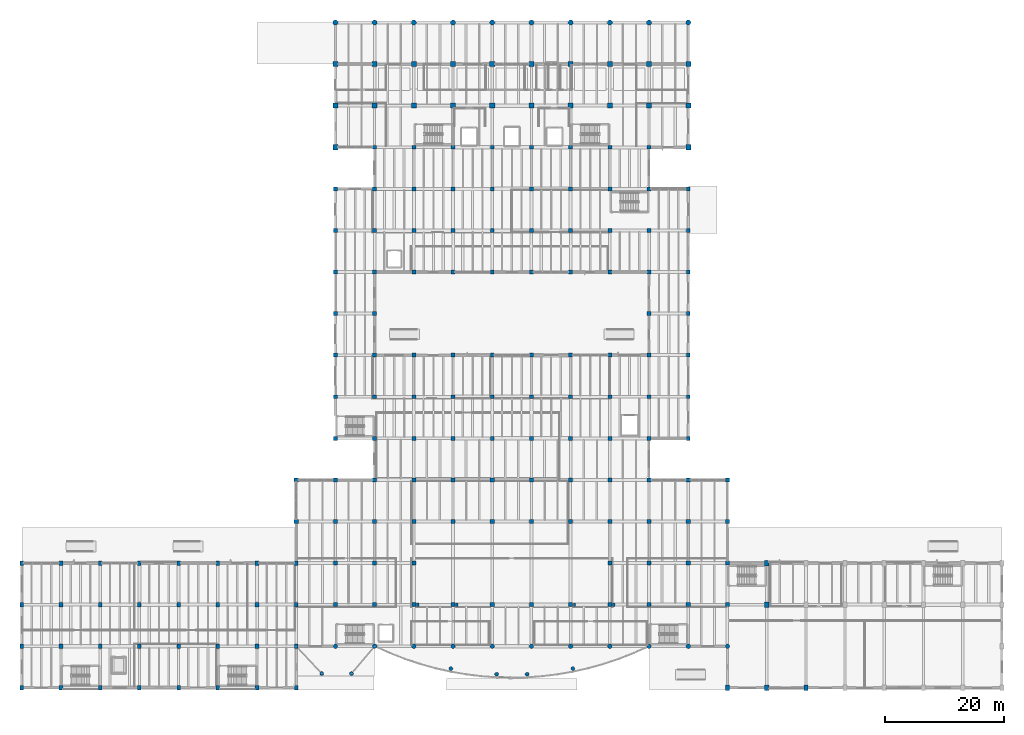
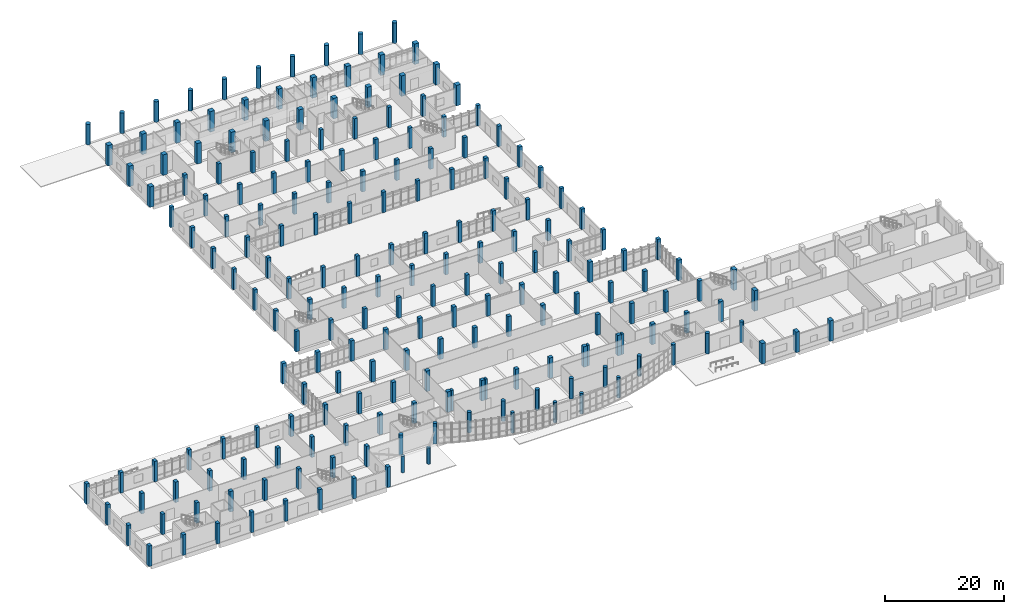
# One storey, part 1 of 69: 204 columns.
"""IFC4 building model written with IfcOpenShell, lengths in metres."""

from ifc_helpers import new_model, si_unit, direction, frame, origin, origin_2d, place, context, subcontext, project, spatial, rectangle, circle, extrude, material, material_profile, profile_set, type_object, element, save


model = new_model("IFC4")

# Units and contexts
model_context = context("Model", 3, precision=1e-05, world=origin(), true_north=direction((0.0, 1.0)))
body_context = subcontext(model_context, "Body", "Model", "MODEL_VIEW")
ifc_project = project(units=[si_unit("LENGTHUNIT", "METRE"), si_unit("AREAUNIT", "SQUARE_METRE"), si_unit("VOLUMEUNIT", "CUBIC_METRE"), si_unit("PLANEANGLEUNIT", "RADIAN"), si_unit("MASSUNIT", "GRAM", prefix="KILO")], contexts=[model_context])

# Site, building, storey
site_placement = place(None, origin())
site = spatial("IfcSite", under=ifc_project, at=site_placement, CompositionType="ELEMENT")
building_placement = place(site_placement, origin())
building = spatial("IfcBuilding", under=site, at=building_placement, Name="Ciguamira Faculty of Natural Sciences", CompositionType="ELEMENT")
storey_placement = place(building_placement, origin())
storey = spatial("IfcBuildingStorey", under=building, at=storey_placement, Name="L00", CompositionType="ELEMENT", Elevation=0.0)

# Columns
ifc_material_1 = material(Name="Concrete C45/55", Category="concrete")
ifc_material_profile_1 = material_profile(ifc_material_1, rectangle(XDim=0.85009765625, YDim=0.85009765625, at=origin_2d()), Name="RC-COL-850X850")
ifc_profile_set_1 = profile_set([ifc_material_profile_1], Name="Concrete C45/55")
column_type_1 = type_object("IfcColumnType", Name="Col_C-02_RC-COL-850X850", PredefinedType="COLUMN", material=ifc_profile_set_1)
for number, where, z_axis, x_axis, name in (
    (1, (57.300048828125, 94.0, 0.0), (0.0, 0.0, 1.0), (1.0, 0.0, 0.0), "L00 column 9/P"),
    (2, (57.300048828125, 101.0, 0.0), (0.0, 0.0, 1.0), (1.0, 0.0, 0.0), "L00 column 9/Q"),
    (3, (57.300048828125, 108.0, 0.0), (0.0, 0.0, 1.0), (1.0, 0.0, 0.0), "L00 column 9/R"),
    (4, (63.89990234375, 101.0, 0.0), (0.0, 0.0, 1.0), (1.0, 0.0, 0.0), "L00 column 10/Q"),
    (5, (63.89990234375, 108.0, 0.0), (0.0, 0.0, 1.0), (1.0, 0.0, 0.0), "L00 column 10/R"),
    (6, (70.5, 101.0, 0.0), (0.0, 0.0, 1.0), (1.0, 0.0, 0.0), "L00 column 11/Q"),
    (7, (70.5, 108.0, 0.0), (0.0, 0.0, 1.0), (1.0, 0.0, 0.0), "L00 column 11/R"),
    (8, (77.10009765625, 101.0, 0.0), (0.0, 0.0, 1.0), (1.0, 0.0, 0.0), "L00 column 12/Q"),
    (9, (77.10009765625, 108.0, 0.0), (0.0, 0.0, 1.0), (1.0, 0.0, 0.0), "L00 column 12/R"),
    (10, (83.699951171875, 101.0, 0.0), (0.0, 0.0, 1.0), (1.0, 0.0, 0.0), "L00 column 13/Q"),
    (11, (83.699951171875, 108.0, 0.0), (0.0, 0.0, 1.0), (1.0, 0.0, 0.0), "L00 column 13/R"),
    (12, (90.300048828125, 101.0, 0.0), (0.0, 0.0, 1.0), (1.0, 0.0, 0.0), "L00 column 14/Q"),
    (13, (90.300048828125, 108.0, 0.0), (0.0, 0.0, 1.0), (1.0, 0.0, 0.0), "L00 column 14/R"),
    (14, (96.89990234375, 101.0, 0.0), (0.0, 0.0, 1.0), (1.0, 0.0, 0.0), "L00 column 15/Q"),
    (15, (96.89990234375, 108.0, 0.0), (0.0, 0.0, 1.0), (1.0, 0.0, 0.0), "L00 column 15/R"),
    (16, (103.5, 101.0, 0.0), (0.0, 0.0, 1.0), (1.0, 0.0, 0.0), "L00 column 16/Q"),
    (17, (103.5, 108.0, 0.0), (0.0, 0.0, 1.0), (1.0, 0.0, 0.0), "L00 column 16/R"),
    (18, (110.10009765625, 101.0, 0.0), (0.0, 0.0, 1.0), (1.0, 0.0, 0.0), "L00 column 17/Q"),
    (19, (110.10009765625, 108.0, 0.0), (0.0, 0.0, 1.0), (1.0, 0.0, 0.0), "L00 column 17/R"),
    (20, (116.699951171875, 94.0, 0.0), (0.0, 0.0, 1.0), (1.0, 0.0, 0.0), "L00 column 18/P"),
    (21, (116.699951171875, 101.0, 0.0), (0.0, 0.0, 1.0), (1.0, 0.0, 0.0), "L00 column 18/Q"),
    (22, (116.699951171875, 108.0, 0.0), (0.0, 0.0, 1.0), (1.0, 0.0, 0.0), "L00 column 18/R"),
):
    element("IfcColumn", number, at=place(storey_placement, frame(where, z_axis=z_axis, x_axis=x_axis)), inside=storey, type_object=column_type_1, Name=name, PredefinedType="COLUMN", context=body_context, shape_type="SweptSolid", body=[
        extrude(rectangle(XDim=0.85009765625, YDim=0.85009765625, at=origin_2d()), origin(), (0.0, 0.0, 1.0), 4.199951171875),
    ])
ifc_material_2 = material(Name="Concrete C40/50", Category="concrete")
ifc_material_profile_2 = material_profile(ifc_material_2, rectangle(XDim=0.699951171875, YDim=0.699951171875, at=origin_2d()), Name="RC-COL-700X700")
ifc_profile_set_2 = profile_set([ifc_material_profile_2], Name="Concrete C40/50")
column_type_2 = type_object("IfcColumnType", Name="Col_C-05_RC-COL-700X700", PredefinedType="COLUMN", material=ifc_profile_set_2)
for number, where, z_axis, x_axis, name in (
    (23, (50.699951171875, 31.0, 0.0), (0.0, 0.0, 1.0), (1.0, 0.0, 0.0), "L00 column 8/E"),
    (24, (50.699951171875, 38.0, 0.0), (0.0, 0.0, 1.0), (1.0, 0.0, 0.0), "L00 column 8/F"),
    (25, (57.300048828125, 17.0, 0.0), (0.0, 0.0, 1.0), (1.0, 0.0, 0.0), "L00 column 9/C"),
    (26, (57.300048828125, 24.0, 0.0), (0.0, 0.0, 1.0), (1.0, 0.0, 0.0), "L00 column 9/D"),
    (27, (57.300048828125, 31.0, 0.0), (0.0, 0.0, 1.0), (1.0, 0.0, 0.0), "L00 column 9/E"),
    (28, (57.300048828125, 38.0, 0.0), (0.0, 0.0, 1.0), (1.0, 0.0, 0.0), "L00 column 9/F"),
    (29, (63.89990234375, 17.0, 0.0), (0.0, 0.0, 1.0), (1.0, 0.0, 0.0), "L00 column 10/C"),
    (30, (63.89990234375, 24.0, 0.0), (0.0, 0.0, 1.0), (1.0, 0.0, 0.0), "L00 column 10/D"),
    (31, (63.89990234375, 31.0, 0.0), (0.0, 0.0, 1.0), (1.0, 0.0, 0.0), "L00 column 10/E"),
    (32, (63.89990234375, 38.0, 0.0), (0.0, 0.0, 1.0), (1.0, 0.0, 0.0), "L00 column 10/F"),
    (33, (70.5, 17.0, 0.0), (0.0, 0.0, 1.0), (1.0, 0.0, 0.0), "L00 column 11/C"),
    (34, (70.5, 24.0, 0.0), (0.0, 0.0, 1.0), (1.0, 0.0, 0.0), "L00 column 11/D"),
    (35, (70.5, 31.0, 0.0), (0.0, 0.0, 1.0), (1.0, 0.0, 0.0), "L00 column 11/E"),
    (36, (70.5, 38.0, 0.0), (0.0, 0.0, 1.0), (1.0, 0.0, 0.0), "L00 column 11/F"),
    (37, (77.10009765625, 17.0, 0.0), (0.0, 0.0, 1.0), (1.0, 0.0, 0.0), "L00 column 12/C"),
    (38, (77.10009765625, 31.0, 0.0), (0.0, 0.0, 1.0), (1.0, 0.0, 0.0), "L00 column 12/E"),
    (39, (77.10009765625, 38.0, 0.0), (0.0, 0.0, 1.0), (1.0, 0.0, 0.0), "L00 column 12/F"),
    (40, (83.699951171875, 17.0, 0.0), (0.0, 0.0, 1.0), (1.0, 0.0, 0.0), "L00 column 13/C"),
    (41, (83.699951171875, 31.0, 0.0), (0.0, 0.0, 1.0), (1.0, 0.0, 0.0), "L00 column 13/E"),
    (42, (83.699951171875, 38.0, 0.0), (0.0, 0.0, 1.0), (1.0, 0.0, 0.0), "L00 column 13/F"),
    (43, (90.300048828125, 17.0, 0.0), (0.0, 0.0, 1.0), (1.0, 0.0, 0.0), "L00 column 14/C"),
    (44, (90.300048828125, 31.0, 0.0), (0.0, 0.0, 1.0), (1.0, 0.0, 0.0), "L00 column 14/E"),
    (45, (90.300048828125, 38.0, 0.0), (0.0, 0.0, 1.0), (1.0, 0.0, 0.0), "L00 column 14/F"),
    (46, (96.89990234375, 17.0, 0.0), (0.0, 0.0, 1.0), (1.0, 0.0, 0.0), "L00 column 15/C"),
    (47, (96.89990234375, 31.0, 0.0), (0.0, 0.0, 1.0), (1.0, 0.0, 0.0), "L00 column 15/E"),
    (48, (96.89990234375, 38.0, 0.0), (0.0, 0.0, 1.0), (1.0, 0.0, 0.0), "L00 column 15/F"),
    (49, (103.5, 17.0, 0.0), (0.0, 0.0, 1.0), (1.0, 0.0, 0.0), "L00 column 16/C"),
    (50, (103.5, 24.0, 0.0), (0.0, 0.0, 1.0), (1.0, 0.0, 0.0), "L00 column 16/D"),
    (51, (103.5, 31.0, 0.0), (0.0, 0.0, 1.0), (1.0, 0.0, 0.0), "L00 column 16/E"),
    (52, (103.5, 38.0, 0.0), (0.0, 0.0, 1.0), (1.0, 0.0, 0.0), "L00 column 16/F"),
    (53, (110.10009765625, 17.0, 0.0), (0.0, 0.0, 1.0), (1.0, 0.0, 0.0), "L00 column 17/C"),
    (54, (110.10009765625, 24.0, 0.0), (0.0, 0.0, 1.0), (1.0, 0.0, 0.0), "L00 column 17/D"),
    (55, (110.10009765625, 31.0, 0.0), (0.0, 0.0, 1.0), (1.0, 0.0, 0.0), "L00 column 17/E"),
    (56, (110.10009765625, 38.0, 0.0), (0.0, 0.0, 1.0), (1.0, 0.0, 0.0), "L00 column 17/F"),
    (57, (116.699951171875, 17.0, 0.0), (0.0, 0.0, 1.0), (1.0, 0.0, 0.0), "L00 column 18/C"),
    (58, (116.699951171875, 24.0, 0.0), (0.0, 0.0, 1.0), (1.0, 0.0, 0.0), "L00 column 18/D"),
    (59, (116.699951171875, 31.0, 0.0), (0.0, 0.0, 1.0), (1.0, 0.0, 0.0), "L00 column 18/E"),
    (60, (116.699951171875, 38.0, 0.0), (0.0, 0.0, 1.0), (1.0, 0.0, 0.0), "L00 column 18/F"),
    (61, (123.300048828125, 17.0, 0.0), (0.0, 0.0, 1.0), (1.0, 0.0, 0.0), "L00 column 19/C"),
    (62, (123.300048828125, 24.0, 0.0), (0.0, 0.0, 1.0), (1.0, 0.0, 0.0), "L00 column 19/D"),
    (63, (123.300048828125, 31.0, 0.0), (0.0, 0.0, 1.0), (1.0, 0.0, 0.0), "L00 column 19/E"),
    (64, (123.300048828125, 38.0, 0.0), (0.0, 0.0, 1.0), (1.0, 0.0, 0.0), "L00 column 19/F"),
):
    element("IfcColumn", number, at=place(storey_placement, frame(where, z_axis=z_axis, x_axis=x_axis)), inside=storey, type_object=column_type_2, Name=name, PredefinedType="COLUMN", context=body_context, shape_type="SweptSolid", body=[
        extrude(rectangle(XDim=0.699951171875, YDim=0.699951171875, at=origin_2d()), origin(), (0.0, 0.0, 1.0), 4.199951171875),
    ])
ifc_material_profile_3 = material_profile(ifc_material_2, rectangle(XDim=0.64990234375, YDim=0.64990234375, at=origin_2d()), Name="RC-COL-650X650")
ifc_profile_set_3 = profile_set([ifc_material_profile_3], Name="Concrete C40/50")
column_type_3 = type_object("IfcColumnType", Name="Col_C-06_RC-COL-650X650", PredefinedType="COLUMN", material=ifc_profile_set_3)
for number, where, z_axis, x_axis, name in (
    (65, (57.300048828125, 45.0, 0.0), (0.0, 0.0, 1.0), (1.0, 0.0, 0.0), "L00 column 9/G"),
    (66, (57.300048828125, 52.0, 0.0), (0.0, 0.0, 1.0), (1.0, 0.0, 0.0), "L00 column 9/H"),
    (67, (57.300048828125, 59.0, 0.0), (0.0, 0.0, 1.0), (1.0, 0.0, 0.0), "L00 column 9/J"),
    (68, (57.300048828125, 66.0, 0.0), (0.0, 0.0, 1.0), (1.0, 0.0, 0.0), "L00 column 9/K"),
    (69, (57.300048828125, 73.0, 0.0), (0.0, 0.0, 1.0), (1.0, 0.0, 0.0), "L00 column 9/L"),
    (70, (57.300048828125, 80.0, 0.0), (0.0, 0.0, 1.0), (1.0, 0.0, 0.0), "L00 column 9/M"),
    (71, (57.300048828125, 87.0, 0.0), (0.0, 0.0, 1.0), (1.0, 0.0, 0.0), "L00 column 9/N"),
    (72, (63.89990234375, 45.0, 0.0), (0.0, 0.0, 1.0), (1.0, 0.0, 0.0), "L00 column 10/G"),
    (73, (63.89990234375, 52.0, 0.0), (0.0, 0.0, 1.0), (1.0, 0.0, 0.0), "L00 column 10/H"),
    (74, (63.89990234375, 59.0, 0.0), (0.0, 0.0, 1.0), (1.0, 0.0, 0.0), "L00 column 10/J"),
    (75, (63.89990234375, 66.0, 0.0), (0.0, 0.0, 1.0), (1.0, 0.0, 0.0), "L00 column 10/K"),
    (76, (63.89990234375, 73.0, 0.0), (0.0, 0.0, 1.0), (1.0, 0.0, 0.0), "L00 column 10/L"),
    (77, (63.89990234375, 80.0, 0.0), (0.0, 0.0, 1.0), (1.0, 0.0, 0.0), "L00 column 10/M"),
    (78, (63.89990234375, 87.0, 0.0), (0.0, 0.0, 1.0), (1.0, 0.0, 0.0), "L00 column 10/N"),
    (79, (63.89990234375, 94.0, 0.0), (0.0, 0.0, 1.0), (1.0, 0.0, 0.0), "L00 column 10/P"),
    (80, (70.5, 45.0, 0.0), (0.0, 0.0, 1.0), (1.0, 0.0, 0.0), "L00 column 11/G"),
    (81, (70.5, 52.0, 0.0), (0.0, 0.0, 1.0), (1.0, 0.0, 0.0), "L00 column 11/H"),
    (82, (70.5, 59.0, 0.0), (0.0, 0.0, 1.0), (1.0, 0.0, 0.0), "L00 column 11/J"),
    (83, (70.5, 73.0, 0.0), (0.0, 0.0, 1.0), (1.0, 0.0, 0.0), "L00 column 11/L"),
    (84, (70.5, 80.0, 0.0), (0.0, 0.0, 1.0), (1.0, 0.0, 0.0), "L00 column 11/M"),
    (85, (70.5, 87.0, 0.0), (0.0, 0.0, 1.0), (1.0, 0.0, 0.0), "L00 column 11/N"),
    (86, (70.5, 94.0, 0.0), (0.0, 0.0, 1.0), (1.0, 0.0, 0.0), "L00 column 11/P"),
    (87, (77.10009765625, 45.0, 0.0), (0.0, 0.0, 1.0), (1.0, 0.0, 0.0), "L00 column 12/G"),
    (88, (77.10009765625, 52.0, 0.0), (0.0, 0.0, 1.0), (1.0, 0.0, 0.0), "L00 column 12/H"),
    (89, (77.10009765625, 59.0, 0.0), (0.0, 0.0, 1.0), (1.0, 0.0, 0.0), "L00 column 12/J"),
    (90, (77.10009765625, 73.0, 0.0), (0.0, 0.0, 1.0), (1.0, 0.0, 0.0), "L00 column 12/L"),
    (91, (77.10009765625, 80.0, 0.0), (0.0, 0.0, 1.0), (1.0, 0.0, 0.0), "L00 column 12/M"),
    (92, (77.10009765625, 87.0, 0.0), (0.0, 0.0, 1.0), (1.0, 0.0, 0.0), "L00 column 12/N"),
    (93, (77.10009765625, 94.0, 0.0), (0.0, 0.0, 1.0), (1.0, 0.0, 0.0), "L00 column 12/P"),
    (94, (83.699951171875, 45.0, 0.0), (0.0, 0.0, 1.0), (1.0, 0.0, 0.0), "L00 column 13/G"),
    (95, (83.699951171875, 52.0, 0.0), (0.0, 0.0, 1.0), (1.0, 0.0, 0.0), "L00 column 13/H"),
    (96, (83.699951171875, 59.0, 0.0), (0.0, 0.0, 1.0), (1.0, 0.0, 0.0), "L00 column 13/J"),
    (97, (83.699951171875, 73.0, 0.0), (0.0, 0.0, 1.0), (1.0, 0.0, 0.0), "L00 column 13/L"),
    (98, (83.699951171875, 80.0, 0.0), (0.0, 0.0, 1.0), (1.0, 0.0, 0.0), "L00 column 13/M"),
    (99, (83.699951171875, 87.0, 0.0), (0.0, 0.0, 1.0), (1.0, 0.0, 0.0), "L00 column 13/N"),
    (100, (83.699951171875, 94.0, 0.0), (0.0, 0.0, 1.0), (1.0, 0.0, 0.0), "L00 column 13/P"),
    (101, (90.300048828125, 45.0, 0.0), (0.0, 0.0, 1.0), (1.0, 0.0, 0.0), "L00 column 14/G"),
    (102, (90.300048828125, 52.0, 0.0), (0.0, 0.0, 1.0), (1.0, 0.0, 0.0), "L00 column 14/H"),
    (103, (90.300048828125, 59.0, 0.0), (0.0, 0.0, 1.0), (1.0, 0.0, 0.0), "L00 column 14/J"),
    (104, (90.300048828125, 73.0, 0.0), (0.0, 0.0, 1.0), (1.0, 0.0, 0.0), "L00 column 14/L"),
    (105, (90.300048828125, 80.0, 0.0), (0.0, 0.0, 1.0), (1.0, 0.0, 0.0), "L00 column 14/M"),
    (106, (90.300048828125, 87.0, 0.0), (0.0, 0.0, 1.0), (1.0, 0.0, 0.0), "L00 column 14/N"),
    (107, (90.300048828125, 94.0, 0.0), (0.0, 0.0, 1.0), (1.0, 0.0, 0.0), "L00 column 14/P"),
    (108, (96.89990234375, 45.0, 0.0), (0.0, 0.0, 1.0), (1.0, 0.0, 0.0), "L00 column 15/G"),
    (109, (96.89990234375, 52.0, 0.0), (0.0, 0.0, 1.0), (1.0, 0.0, 0.0), "L00 column 15/H"),
    (110, (96.89990234375, 59.0, 0.0), (0.0, 0.0, 1.0), (1.0, 0.0, 0.0), "L00 column 15/J"),
    (111, (96.89990234375, 73.0, 0.0), (0.0, 0.0, 1.0), (1.0, 0.0, 0.0), "L00 column 15/L"),
    (112, (96.89990234375, 80.0, 0.0), (0.0, 0.0, 1.0), (1.0, 0.0, 0.0), "L00 column 15/M"),
    (113, (96.89990234375, 87.0, 0.0), (0.0, 0.0, 1.0), (1.0, 0.0, 0.0), "L00 column 15/N"),
    (114, (96.89990234375, 94.0, 0.0), (0.0, 0.0, 1.0), (1.0, 0.0, 0.0), "L00 column 15/P"),
    (115, (103.5, 45.0, 0.0), (0.0, 0.0, 1.0), (1.0, 0.0, 0.0), "L00 column 16/G"),
    (116, (103.5, 52.0, 0.0), (0.0, 0.0, 1.0), (1.0, 0.0, 0.0), "L00 column 16/H"),
    (117, (103.5, 59.0, 0.0), (0.0, 0.0, 1.0), (1.0, 0.0, 0.0), "L00 column 16/J"),
    (118, (103.5, 73.0, 0.0), (0.0, 0.0, 1.0), (1.0, 0.0, 0.0), "L00 column 16/L"),
    (119, (103.5, 80.0, 0.0), (0.0, 0.0, 1.0), (1.0, 0.0, 0.0), "L00 column 16/M"),
    (120, (103.5, 87.0, 0.0), (0.0, 0.0, 1.0), (1.0, 0.0, 0.0), "L00 column 16/N"),
    (121, (103.5, 94.0, 0.0), (0.0, 0.0, 1.0), (1.0, 0.0, 0.0), "L00 column 16/P"),
    (122, (110.10009765625, 45.0, 0.0), (0.0, 0.0, 1.0), (1.0, 0.0, 0.0), "L00 column 17/G"),
    (123, (110.10009765625, 52.0, 0.0), (0.0, 0.0, 1.0), (1.0, 0.0, 0.0), "L00 column 17/H"),
    (124, (110.10009765625, 59.0, 0.0), (0.0, 0.0, 1.0), (1.0, 0.0, 0.0), "L00 column 17/J"),
    (125, (110.10009765625, 66.0, 0.0), (0.0, 0.0, 1.0), (1.0, 0.0, 0.0), "L00 column 17/K"),
    (126, (110.10009765625, 73.0, 0.0), (0.0, 0.0, 1.0), (1.0, 0.0, 0.0), "L00 column 17/L"),
    (127, (110.10009765625, 80.0, 0.0), (0.0, 0.0, 1.0), (1.0, 0.0, 0.0), "L00 column 17/M"),
    (128, (110.10009765625, 87.0, 0.0), (0.0, 0.0, 1.0), (1.0, 0.0, 0.0), "L00 column 17/N"),
    (129, (110.10009765625, 94.0, 0.0), (0.0, 0.0, 1.0), (1.0, 0.0, 0.0), "L00 column 17/P"),
    (130, (116.699951171875, 45.0, 0.0), (0.0, 0.0, 1.0), (1.0, 0.0, 0.0), "L00 column 18/G"),
    (131, (116.699951171875, 52.0, 0.0), (0.0, 0.0, 1.0), (1.0, 0.0, 0.0), "L00 column 18/H"),
    (132, (116.699951171875, 59.0, 0.0), (0.0, 0.0, 1.0), (1.0, 0.0, 0.0), "L00 column 18/J"),
    (133, (116.699951171875, 66.0, 0.0), (0.0, 0.0, 1.0), (1.0, 0.0, 0.0), "L00 column 18/K"),
    (134, (116.699951171875, 73.0, 0.0), (0.0, 0.0, 1.0), (1.0, 0.0, 0.0), "L00 column 18/L"),
    (135, (116.699951171875, 80.0, 0.0), (0.0, 0.0, 1.0), (1.0, 0.0, 0.0), "L00 column 18/M"),
    (136, (116.699951171875, 87.0, 0.0), (0.0, 0.0, 1.0), (1.0, 0.0, 0.0), "L00 column 18/N"),
):
    element("IfcColumn", number, at=place(storey_placement, frame(where, z_axis=z_axis, x_axis=x_axis)), inside=storey, type_object=column_type_3, Name=name, PredefinedType="COLUMN", context=body_context, shape_type="SweptSolid", body=[
        extrude(rectangle(XDim=0.64990234375, YDim=0.64990234375, at=origin_2d()), origin(), (0.0, 0.0, 1.0), 4.199951171875),
    ])
ifc_material_profile_4 = material_profile(ifc_material_1, rectangle(XDim=0.699951171875, YDim=0.949951171875, at=origin_2d()), Name="RC-COL-700X950")
ifc_profile_set_4 = profile_set([ifc_material_profile_4], Name="Concrete C45/55")
column_type_4 = type_object("IfcColumnType", Name="Col_C-11_RC-COL-700X950", PredefinedType="COLUMN", material=ifc_profile_set_4)
for number, where, z_axis, x_axis, name in (
    (137, (123.300048828125, 3.0, 0.0), (0.0, 0.0, 1.0), (1.0, 0.0, 0.0), "L00 column 19/A"),
    (138, (129.89990234375, 3.0, 0.0), (0.0, 0.0, 1.0), (1.0, 0.0, 0.0), "L00 column 20/A"),
    (139, (129.89990234375, 17.0, 0.0), (0.0, 0.0, 1.0), (1.0, 0.0, 0.0), "L00 column 20/C"),
    (140, (129.89990234375, 24.0, 0.0), (0.0, 0.0, 1.0), (1.0, 0.0, 0.0), "L00 column 20/D"),
    (141, (136.5, 3.0, 0.0), (0.0, 0.0, 1.0), (1.0, 0.0, 0.0), "L00 column 21/A"),
):
    element("IfcColumn", number, at=place(storey_placement, frame(where, z_axis=z_axis, x_axis=x_axis)), inside=storey, type_object=column_type_4, Name=name, PredefinedType="COLUMN", context=body_context, shape_type="SweptSolid", body=[
        extrude(rectangle(XDim=0.699951171875, YDim=0.949951171875, at=origin_2d()), origin(), (0.0, 0.0, 1.0), 4.199951171875),
    ])
ifc_material_profile_5 = material_profile(ifc_material_2, rectangle(XDim=0.60009765625, YDim=0.75, at=origin_2d()), Name="RC-COL-600X750")
ifc_profile_set_5 = profile_set([ifc_material_profile_5], Name="Concrete C40/50")
column_type_5 = type_object("IfcColumnType", Name="Col_C-13_RC-COL-600X750", PredefinedType="COLUMN", material=ifc_profile_set_5)
for number, where, z_axis, x_axis, name in (
    (142, (4.5, 3.0, 0.0), (0.0, 0.0, 1.0), (1.0, 0.0, 0.0), "L00 column 1/A"),
    (143, (4.5, 10.0, 0.0), (0.0, 0.0, 1.0), (1.0, 0.0, 0.0), "L00 column 1/B"),
    (144, (4.5, 17.0, 0.0), (0.0, 0.0, 1.0), (1.0, 0.0, 0.0), "L00 column 1/C"),
    (145, (4.5, 24.0, 0.0), (0.0, 0.0, 1.0), (1.0, 0.0, 0.0), "L00 column 1/D"),
    (146, (11.10009765625, 3.0, 0.0), (0.0, 0.0, 1.0), (1.0, 0.0, 0.0), "L00 column 2/A"),
    (147, (11.10009765625, 10.0, 0.0), (0.0, 0.0, 1.0), (1.0, 0.0, 0.0), "L00 column 2/B"),
    (148, (11.10009765625, 17.0, 0.0), (0.0, 0.0, 1.0), (1.0, 0.0, 0.0), "L00 column 2/C"),
    (149, (11.10009765625, 24.0, 0.0), (0.0, 0.0, 1.0), (1.0, 0.0, 0.0), "L00 column 2/D"),
    (150, (17.699951171875, 3.0, 0.0), (0.0, 0.0, 1.0), (1.0, 0.0, 0.0), "L00 column 3/A"),
    (151, (17.699951171875, 10.0, 0.0), (0.0, 0.0, 1.0), (1.0, 0.0, 0.0), "L00 column 3/B"),
    (152, (17.699951171875, 17.0, 0.0), (0.0, 0.0, 1.0), (1.0, 0.0, 0.0), "L00 column 3/C"),
    (153, (17.699951171875, 24.0, 0.0), (0.0, 0.0, 1.0), (1.0, 0.0, 0.0), "L00 column 3/D"),
    (154, (24.300048828125, 3.0, 0.0), (0.0, 0.0, 1.0), (1.0, 0.0, 0.0), "L00 column 4/A"),
    (155, (24.300048828125, 10.0, 0.0), (0.0, 0.0, 1.0), (1.0, 0.0, 0.0), "L00 column 4/B"),
    (156, (24.300048828125, 17.0, 0.0), (0.0, 0.0, 1.0), (1.0, 0.0, 0.0), "L00 column 4/C"),
    (157, (24.300048828125, 24.0, 0.0), (0.0, 0.0, 1.0), (1.0, 0.0, 0.0), "L00 column 4/D"),
    (158, (30.89990234375, 3.0, 0.0), (0.0, 0.0, 1.0), (1.0, 0.0, 0.0), "L00 column 5/A"),
    (159, (30.89990234375, 10.0, 0.0), (0.0, 0.0, 1.0), (1.0, 0.0, 0.0), "L00 column 5/B"),
    (160, (30.89990234375, 17.0, 0.0), (0.0, 0.0, 1.0), (1.0, 0.0, 0.0), "L00 column 5/C"),
    (161, (30.89990234375, 24.0, 0.0), (0.0, 0.0, 1.0), (1.0, 0.0, 0.0), "L00 column 5/D"),
    (162, (37.5, 3.0, 0.0), (0.0, 0.0, 1.0), (1.0, 0.0, 0.0), "L00 column 6/A"),
    (163, (37.5, 10.0, 0.0), (0.0, 0.0, 1.0), (1.0, 0.0, 0.0), "L00 column 6/B"),
    (164, (37.5, 17.0, 0.0), (0.0, 0.0, 1.0), (1.0, 0.0, 0.0), "L00 column 6/C"),
    (165, (37.5, 24.0, 0.0), (0.0, 0.0, 1.0), (1.0, 0.0, 0.0), "L00 column 6/D"),
    (166, (44.10009765625, 3.0, 0.0), (0.0, 0.0, 1.0), (1.0, 0.0, 0.0), "L00 column 7/A"),
    (167, (44.10009765625, 10.0, 0.0), (0.0, 0.0, 1.0), (1.0, 0.0, 0.0), "L00 column 7/B"),
    (168, (44.10009765625, 17.0, 0.0), (0.0, 0.0, 1.0), (1.0, 0.0, 0.0), "L00 column 7/C"),
    (169, (44.10009765625, 24.0, 0.0), (0.0, 0.0, 1.0), (1.0, 0.0, 0.0), "L00 column 7/D"),
    (170, (50.699951171875, 3.0, 0.0), (0.0, 0.0, 1.0), (1.0, 0.0, 0.0), "L00 column 8/A"),
    (171, (50.699951171875, 10.0, 0.0), (0.0, 0.0, 1.0), (1.0, 0.0, 0.0), "L00 column 8/B"),
    (172, (50.699951171875, 17.0, 0.0), (0.0, 0.0, 1.0), (1.0, 0.0, 0.0), "L00 column 8/C"),
    (173, (50.699951171875, 24.0, 0.0), (0.0, 0.0, 1.0), (1.0, 0.0, 0.0), "L00 column 8/D"),
):
    element("IfcColumn", number, at=place(storey_placement, frame(where, z_axis=z_axis, x_axis=x_axis)), inside=storey, type_object=column_type_5, Name=name, PredefinedType="COLUMN", context=body_context, shape_type="SweptSolid", body=[
        extrude(rectangle(XDim=0.60009765625, YDim=0.75, at=origin_2d()), origin(), (0.0, 0.0, 1.0), 4.199951171875),
    ])
ifc_material_profile_6 = material_profile(ifc_material_1, circle(Radius=0.425048828125, at=origin_2d()), Name="RC-RND-850")
ifc_profile_set_6 = profile_set([ifc_material_profile_6], Name="Concrete C45/55")
column_type_6 = type_object("IfcColumnType", Name="Col_C-16_RC-RND-850", PredefinedType="COLUMN", material=ifc_profile_set_6)
for number, where, z_axis, x_axis, name in (
    (174, (57.300048828125, 115.0, 0.0), (0.0, 0.0, 1.0), (1.0, 0.0, 0.0), "L00 column 9/S"),
    (175, (63.89990234375, 115.0, 0.0), (0.0, 0.0, 1.0), (1.0, 0.0, 0.0), "L00 column 10/S"),
    (176, (70.5, 115.0, 0.0), (0.0, 0.0, 1.0), (1.0, 0.0, 0.0), "L00 column 11/S"),
    (177, (77.10009765625, 115.0, 0.0), (0.0, 0.0, 1.0), (1.0, 0.0, 0.0), "L00 column 12/S"),
    (178, (83.699951171875, 115.0, 0.0), (0.0, 0.0, 1.0), (1.0, 0.0, 0.0), "L00 column 13/S"),
    (179, (90.300048828125, 115.0, 0.0), (0.0, 0.0, 1.0), (1.0, 0.0, 0.0), "L00 column 14/S"),
    (180, (96.89990234375, 115.0, 0.0), (0.0, 0.0, 1.0), (1.0, 0.0, 0.0), "L00 column 15/S"),
    (181, (103.5, 115.0, 0.0), (0.0, 0.0, 1.0), (1.0, 0.0, 0.0), "L00 column 16/S"),
    (182, (110.10009765625, 115.0, 0.0), (0.0, 0.0, 1.0), (1.0, 0.0, 0.0), "L00 column 17/S"),
    (183, (116.699951171875, 115.0, 0.0), (0.0, 0.0, 1.0), (1.0, 0.0, 0.0), "L00 column 18/S"),
):
    element("IfcColumn", number, at=place(storey_placement, frame(where, z_axis=z_axis, x_axis=x_axis)), inside=storey, type_object=column_type_6, Name=name, PredefinedType="COLUMN", context=body_context, shape_type="SweptSolid", body=[
        extrude(circle(Radius=0.425048828125, at=origin_2d()), origin(), (0.0, 0.0, 1.0), 4.199951171875),
    ])
ifc_material_profile_7 = material_profile(ifc_material_2, circle(Radius=0.375, at=origin_2d()), Name="RC-RND-750")
ifc_profile_set_7 = profile_set([ifc_material_profile_7], Name="Concrete C40/50")
column_type_7 = type_object("IfcColumnType", Name="Col_C-17_RC-RND-750", PredefinedType="COLUMN", material=ifc_profile_set_7)
for number, where, z_axis, x_axis, name in (
    (184, (57.300048828125, 10.0, 0.0), (0.0, 0.0, 1.0), (1.0, 0.0, 0.0), "L00 column 9/B"),
    (185, (63.89990234375, 10.0, 0.0), (0.0, 0.0, 1.0), (1.0, 0.0, 0.0), "L00 column 10/B"),
    (186, (70.5, 10.0, 0.0), (0.0, 0.0, 1.0), (1.0, 0.0, 0.0), "L00 column 11/B"),
    (187, (77.10009765625, 10.0, 0.0), (0.0, 0.0, 1.0), (1.0, 0.0, 0.0), "L00 column 12/B"),
    (188, (83.699951171875, 10.0, 0.0), (0.0, 0.0, 1.0), (1.0, 0.0, 0.0), "L00 column 13/B"),
    (189, (90.300048828125, 10.0, 0.0), (0.0, 0.0, 1.0), (1.0, 0.0, 0.0), "L00 column 14/B"),
    (190, (96.89990234375, 10.0, 0.0), (0.0, 0.0, 1.0), (1.0, 0.0, 0.0), "L00 column 15/B"),
    (191, (103.5, 10.0, 0.0), (0.0, 0.0, 1.0), (1.0, 0.0, 0.0), "L00 column 16/B"),
    (192, (110.10009765625, 10.0, 0.0), (0.0, 0.0, 1.0), (1.0, 0.0, 0.0), "L00 column 17/B"),
    (193, (116.699951171875, 10.0, 0.0), (0.0, 0.0, 1.0), (1.0, 0.0, 0.0), "L00 column 18/B"),
    (194, (123.300048828125, 10.0, 0.0), (0.0, 0.0, 1.0), (1.0, 0.0, 0.0), "L00 column 19/B"),
):
    element("IfcColumn", number, at=place(storey_placement, frame(where, z_axis=z_axis, x_axis=x_axis)), inside=storey, type_object=column_type_7, Name=name, PredefinedType="COLUMN", context=body_context, shape_type="SweptSolid", body=[
        extrude(circle(Radius=0.375, at=origin_2d()), origin(), (0.0, 0.0, 1.0), 4.199951171875),
    ])
ifc_material_profile_8 = material_profile(ifc_material_2, circle(Radius=0.324951171875, at=origin_2d()), Name="RC-RND-650")
ifc_profile_set_8 = profile_set([ifc_material_profile_8], Name="Concrete C40/50")
column_type_8 = type_object("IfcColumnType", Name="Col_C-18_RC-RND-650", PredefinedType="COLUMN", material=ifc_profile_set_8)
for number, where, z_axis, x_axis, name in (
    (195, (55.0, 5.39990234375, 0.0), (0.0, 0.0, 1.0), (1.0, 0.0, 0.0), "South Escarpment Arrival Canopy Column 1"),
    (196, (60.0, 5.39990234375, 0.0), (0.0, 0.0, 1.0), (1.0, 0.0, 0.0), "South Escarpment Arrival Canopy Column 2"),
):
    element("IfcColumn", number, at=place(storey_placement, frame(where, z_axis=z_axis, x_axis=x_axis)), inside=storey, type_object=column_type_8, Name=name, PredefinedType="COLUMN", context=body_context, shape_type="SweptSolid", body=[
        extrude(circle(Radius=0.324951171875, at=origin_2d()), origin(), (0.0, 0.0, 1.0), 3.320068359375),
    ])
for number, where, z_axis, x_axis, name in (
    (197, (76.7333984375, 6.236572265625, 0.0), (0.0, 0.0, 1.0), (1.0, 0.0, 0.0), "L00 south arc colonnade column 1"),
    (198, (84.433349609375, 5.291259765625, 0.0), (0.0, 0.0, 1.0), (1.0, 0.0, 0.0), "L00 south arc colonnade column 2"),
    (199, (89.566650390625, 5.291259765625, 0.0), (0.0, 0.0, 1.0), (1.0, 0.0, 0.0), "L00 south arc colonnade column 3"),
    (200, (97.2666015625, 6.236572265625, 0.0), (0.0, 0.0, 1.0), (1.0, 0.0, 0.0), "L00 south arc colonnade column 4"),
):
    element("IfcColumn", number, at=place(storey_placement, frame(where, z_axis=z_axis, x_axis=x_axis)), inside=storey, type_object=column_type_8, Name=name, PredefinedType="COLUMN", context=body_context, shape_type="SweptSolid", body=[
        extrude(circle(Radius=0.324951171875, at=origin_2d()), origin(), (0.0, 0.0, 1.0), 4.199951171875),
    ])
ifc_material_profile_9 = material_profile(ifc_material_2, rectangle(XDim=0.39990234375, YDim=0.60009765625, at=origin_2d()), Name="RC-PIL-400X600")
ifc_profile_set_9 = profile_set([ifc_material_profile_9], Name="Concrete C40/50")
column_type_9 = type_object("IfcColumnType", Name="Pilaster_PL-01_RC-PIL-400X600", PredefinedType="PILASTER", material=ifc_profile_set_9)
for number, where, z_axis, x_axis, name in (
    (201, (71.14990234375, 17.0, 0.0), (0.0, 0.0, 1.0), (1.0, 0.0, 0.0), "L00 atrium colonnade pilaster A11"),
    (202, (77.75, 17.0, 0.0), (0.0, 0.0, 1.0), (1.0, 0.0, 0.0), "L00 atrium colonnade pilaster A12"),
    (203, (97.550048828125, 17.0, 0.0), (0.0, 0.0, 1.0), (1.0, 0.0, 0.0), "L00 atrium colonnade pilaster A15"),
    (204, (104.14990234375, 17.0, 0.0), (0.0, 0.0, 1.0), (1.0, 0.0, 0.0), "L00 atrium colonnade pilaster A16"),
):
    element("IfcColumn", number, at=place(storey_placement, frame(where, z_axis=z_axis, x_axis=x_axis)), inside=storey, type_object=column_type_9, Name=name, PredefinedType="PILASTER", context=body_context, shape_type="SweptSolid", body=[
        extrude(rectangle(XDim=0.39990234375, YDim=0.60009765625, at=origin_2d()), origin(), (0.0, 0.0, 1.0), 4.199951171875),
    ])

save(model, "model.ifc")
